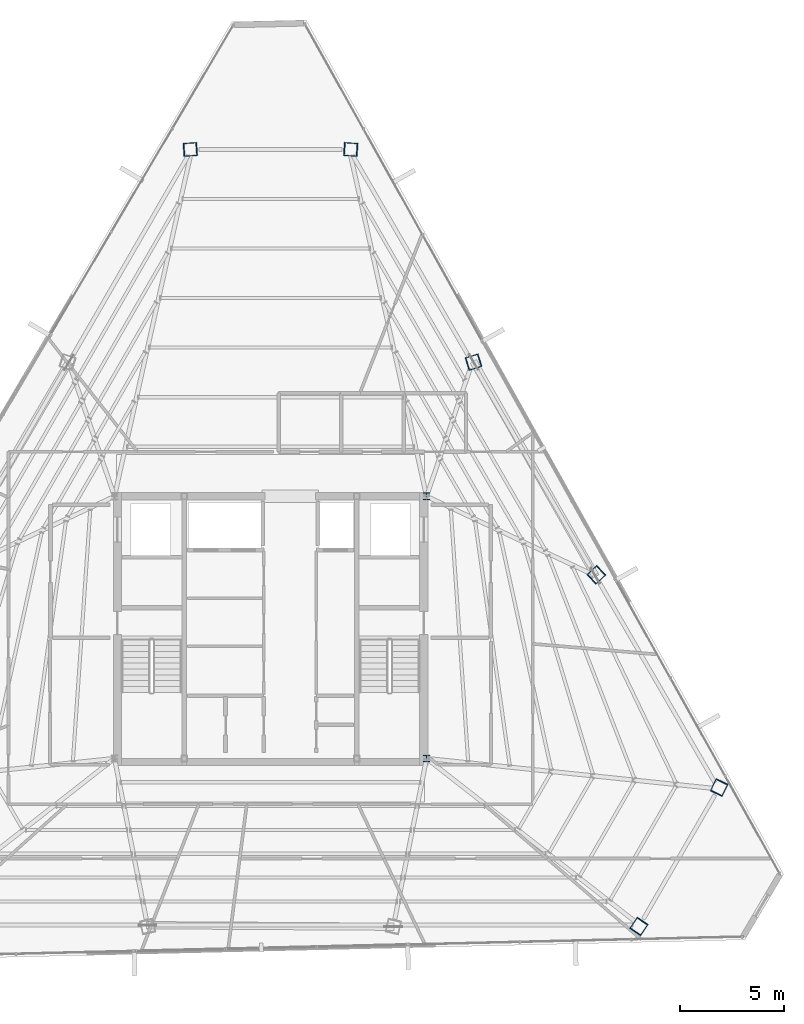
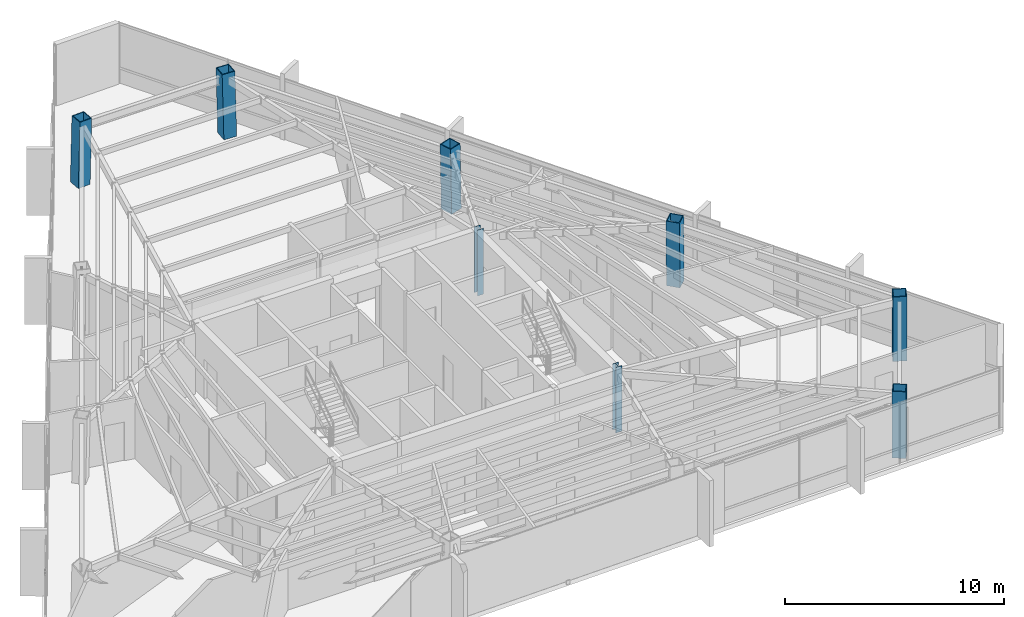
# One storey, part 2 of 47: 8 columns.
"""IFC4 building model written with IfcOpenShell, lengths in metres."""

from ifc_helpers import new_model, si_unit, direction, frame, origin, origin_2d, place, context, subcontext, project, spatial, hollow_rectangle, i_section, extrude, source, transform, mapped, material, material_profile, profile_set, type_object, type_shapes, element, save


model = new_model("IFC4")

# Units and contexts
model_context = context("Model", 3, precision=1e-05, world=origin(), true_north=direction((0.0, 1.0)))
body_context = subcontext(model_context, "Body", "Model", "MODEL_VIEW")
ifc_project = project(units=[si_unit("LENGTHUNIT", "METRE"), si_unit("AREAUNIT", "SQUARE_METRE"), si_unit("VOLUMEUNIT", "CUBIC_METRE"), si_unit("PLANEANGLEUNIT", "RADIAN"), si_unit("MASSUNIT", "GRAM", prefix="KILO")], contexts=[model_context])

# Site, building, storey
site_placement = place(None, origin())
site = spatial("IfcSite", under=ifc_project, at=site_placement, CompositionType="ELEMENT")
building_placement = place(site_placement, origin())
building = spatial("IfcBuilding", under=site, at=building_placement, Name="Caelisora Broadcast Tower", CompositionType="ELEMENT")
storey_placement = place(building_placement, frame((0.0, 0.0, 255.39990234375)))
storey = spatial("IfcBuildingStorey", under=building, at=storey_placement, Name="L67", CompositionType="ELEMENT", Elevation=255.39990234375)

# Columns
ifc_material_1 = material(Name="Steel Grade 350 (AS/NZS 3679.1)", Category="steel")
ifc_material_profile_1 = material_profile(ifc_material_1, i_section(OverallWidth=0.31103515625, OverallDepth=0.3271484375, WebThickness=0.015625, FlangeThickness=0.02490234375, at=origin_2d()), Name="Steel Grade 350 (AS/NZS 3679.1)")
ifc_profile_set_1 = profile_set([ifc_material_profile_1], Name="Steel Grade 350 (AS/NZS 3679.1)")
column_type_1 = type_object("IfcColumnType", Name="CC03", PredefinedType="COLUMN", material=ifc_profile_set_1)
shared_shape_1 = source(origin(), body_context, "Body", "SweptSolid", [
    extrude(i_section(OverallWidth=0.31103515625, OverallDepth=0.3271484375, WebThickness=0.015625, FlangeThickness=0.02490234375, at=origin_2d()), origin(), (0.0, 0.0, 1.0), 3.650146484375),
])
type_shapes(column_type_1, [shared_shape_1])
for number, where, z_axis, x_axis, name in (
    (1, (45.5, 17.39990234375, 0.0), (0.0, 0.0, 1.0), (1.0, 0.0, 0.0), "L67 column CC03"),
    (2, (45.5, 30.0, 0.0), (0.0, 0.0, 1.0), (1.0, 0.0, 0.0), "L67 column CC03"),
):
    element("IfcColumn", number, at=place(storey_placement, frame(where, z_axis=z_axis, x_axis=x_axis)), inside=storey, type_object=column_type_1, Name=name, PredefinedType="COLUMN", context=body_context, shape_type="MappedRepresentation", body=[
        mapped(shared_shape_1, transform((0.0, 0.0, 0.0), scale=1.0)),
    ])
ifc_material_2 = material(Name="Steel Grade 350 L15 (AS/NZS 3678)", Category="steel")
ifc_material_profile_2 = material_profile(ifc_material_2, hollow_rectangle(XDim=0.64990234375, YDim=0.64990234375, WallThickness=0.0400390625, at=origin_2d()), Name="Steel Grade 350 L15 (AS/NZS 3678)")
ifc_profile_set_2 = profile_set([ifc_material_profile_2], Name="Steel Grade 350 L15 (AS/NZS 3678)")
column_type_2 = type_object("IfcColumnType", Name="MC06", PredefinedType="COLUMN", material=ifc_profile_set_2)
shared_shape_2 = source(origin(), body_context, "Body", "SweptSolid", [
    extrude(hollow_rectangle(XDim=0.64990234375, YDim=0.64990234375, WallThickness=0.0400390625, at=origin_2d()), origin(), (0.0, 0.0, 1.0), 3.651123046875),
])
for number, where, z_axis, x_axis, name in (
    (3, (41.869873046875, 46.6728515625, 0.0), (-0.023871161178, 0.00173851594, 0.999713531581), (-0.07263675076, -0.997358462359, 0.0), "L67 column MC06"),
    (4, (34.130126953125, 46.6728515625, 0.0), (0.023871161178, 0.00173851594, 0.999713531581), (-0.07263675076, 0.997358462359, 0.0), "L67 column MC06"),
    (5, (55.700439453125, 9.31201171875, 0.0), (0.013440050965, 0.019859179784, 0.999712447661), (-0.828169210203, 0.560478152359, 0.0), "L67 column MC06"),
    (6, (59.5703125, 16.014892578125, 0.0), (-0.010431098089, -0.021530856313, 0.999713766245), (0.899947055326, -0.435999194506, 0.0), "L67 column MC06"),
):
    element("IfcColumn", number, at=place(storey_placement, frame(where, z_axis=z_axis, x_axis=x_axis)), inside=storey, type_object=column_type_2, Name=name, PredefinedType="COLUMN", context=body_context, shape_type="MappedRepresentation", body=[
        mapped(shared_shape_2, transform((0.0, 0.0, 0.0), scale=1.0)),
    ])
shared_shape_3 = source(origin(), body_context, "Body", "SweptSolid", [
    extrude(hollow_rectangle(XDim=0.64990234375, YDim=0.64990234375, WallThickness=0.0400390625, at=origin_2d()), origin(), (0.0, 0.0, 1.0), 3.65087890625),
])
type_shapes(column_type_2, [shared_shape_2, shared_shape_3])
for number, where, z_axis, x_axis, name in (
    (7, (53.670166015625, 26.234375, 0.0), (-0.014912302561, -0.01384236157, 0.999792984702), (0.680325028146, -0.732910537568, 0.0), "L67 column MC06"),
    (8, (47.77001953125, 36.45361328125, 0.0), (-0.01939269685, -0.00601842316, 0.999793829693), (0.296399214872, -0.955064136811, 0.0), "L67 column MC06"),
):
    element("IfcColumn", number, at=place(storey_placement, frame(where, z_axis=z_axis, x_axis=x_axis)), inside=storey, type_object=column_type_2, Name=name, PredefinedType="COLUMN", context=body_context, shape_type="MappedRepresentation", body=[
        mapped(shared_shape_3, transform((0.0, 0.0, 0.0), scale=1.0)),
    ])

save(model, "model.ifc")
